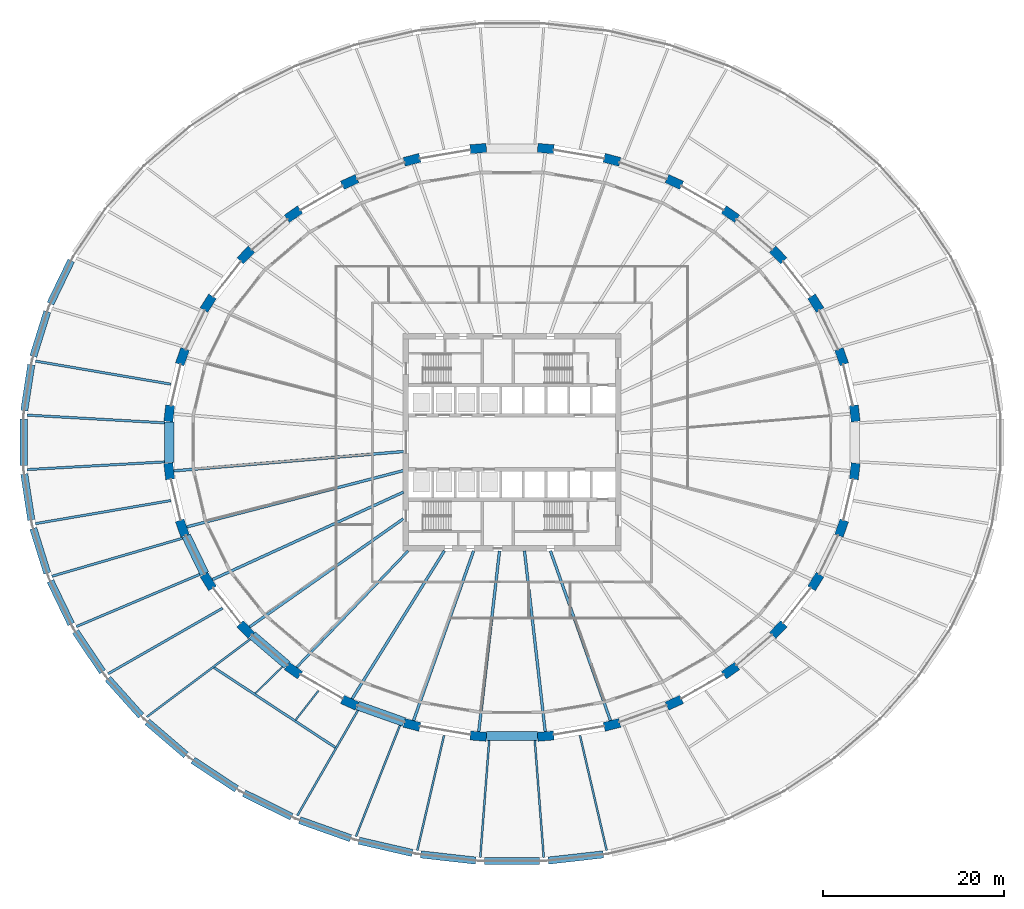
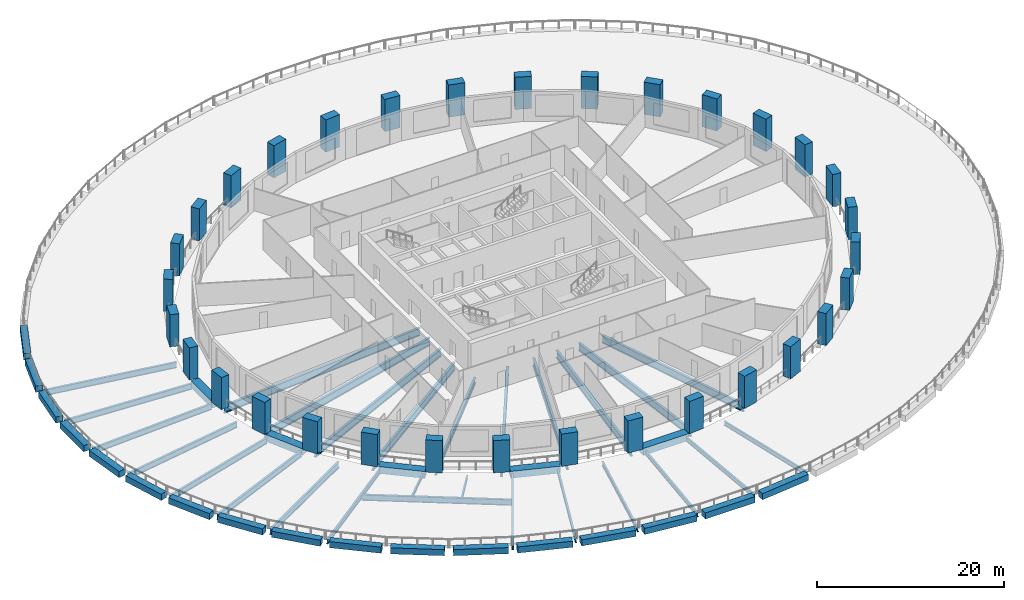
# One storey, part 1 of 16: 49 beams, 32 columns.
"""IFC4 building model written with IfcOpenShell, lengths in metres."""

import ifcopenshell
import ifcopenshell.guid

model = None  # the IFC model being written
_history = None  # IfcOwnerHistory: only IFC2X3 demands one
_inside = {}  # id of a spatial element -> (the spatial element, [elements in it])
_under = {}  # id of a project, library or spatial element -> (it, [spatial elements below it])
_declared = {}  # id of a project -> (the project, [libraries it declares])
_typed = {}  # id of a type object -> (the type object, [elements of that type])
_made_of = {}  # id of a material, layer set ... -> (it, [elements and type objects made of it])


def new_model(schema):
    """Start an empty IFC model of exactly this schema.

    Asked for "IFC4X3", IfcOpenShell would pick the latest addendum, in which some entities
    have other attributes; the version numbers below select the first issue.
    IFC2X3 requires an IfcOwnerHistory on every rooted entity: one is made here for all.
    """
    global model, _history
    if schema == "IFC4X3":
        model = ifcopenshell.file(schema_version=(4, 3, 0, 0))
    else:
        model = ifcopenshell.file(schema=schema)
    _inside.clear()
    _under.clear()
    _declared.clear()
    _typed.clear()
    _made_of.clear()
    _history = None
    if model.schema == "IFC2X3":
        org = make("IfcOrganization", Name="unknown")
        user = make(
            "IfcPersonAndOrganization",
            ThePerson=make("IfcPerson", FamilyName="unknown"),
            TheOrganization=org,
        )
        app = make(
            "IfcApplication",
            ApplicationDeveloper=org,
            Version="unknown",
            ApplicationFullName="unknown",
            ApplicationIdentifier="unknown",
        )
        _history = make(
            "IfcOwnerHistory",
            OwningUser=user,
            OwningApplication=app,
            ChangeAction="ADDED",
            CreationDate=0,
        )
    return model


def make(cls, **values):
    """One entity of the class cls with the attributes given. An attribute that is None is left unset."""
    return model.create_entity(
        cls, **{name: value for name, value in values.items() if value is not None}
    )


def rooted(cls, **values):
    """An entity with a GlobalId (a new one), such as an element, a storey or a relation."""
    return make(cls, GlobalId=ifcopenshell.guid.new(), OwnerHistory=_history, **values)


def si_unit(unit_type, name, prefix=None):
    """IfcSIUnit, for example si_unit("LENGTHUNIT", "METRE", prefix="MILLI")."""
    return make("IfcSIUnit", UnitType=unit_type, Prefix=prefix, Name=name)


def assignment(units):
    """IfcUnitAssignment: the units of a project."""
    return None if units is None else make("IfcUnitAssignment", Units=units)


def point(xyz):
    """IfcCartesianPoint."""
    return None if xyz is None else make("IfcCartesianPoint", Coordinates=xyz)


def direction(xyz):
    """IfcDirection."""
    return None if xyz is None else make("IfcDirection", DirectionRatios=xyz)


def frame(location, z_axis=None, x_axis=None):
    """IfcAxis2Placement3D, a coordinate frame: its origin and axes. An axis left out is left unset."""
    return make(
        "IfcAxis2Placement3D",
        Location=point(location),
        Axis=direction(z_axis),
        RefDirection=direction(x_axis),
    )


def frame_2d(location, x_axis=None):
    """IfcAxis2Placement2D, a coordinate frame in the plane: its origin and x axis."""
    return make(
        "IfcAxis2Placement2D", Location=point(location), RefDirection=direction(x_axis)
    )


def origin():
    """The frame at (0, 0, 0) with its axes left unset."""
    return frame((0.0, 0.0, 0.0))


def origin_2d():
    """The frame at (0, 0) in the plane with its x axis left unset."""
    return frame_2d((0.0, 0.0))


def place(relative_to, where):
    """IfcLocalPlacement: puts the frame where relative to a parent placement (None: the world)."""
    return make(
        "IfcLocalPlacement", PlacementRelTo=relative_to, RelativePlacement=where
    )


def context(
    kind, dimensions, precision=None, world=None, true_north=None, identifier=None
):
    """IfcGeometricRepresentationContext, for example the 3D "Model" context."""
    return make(
        "IfcGeometricRepresentationContext",
        ContextIdentifier=identifier,
        ContextType=kind,
        CoordinateSpaceDimension=dimensions,
        Precision=precision,
        WorldCoordinateSystem=world,
        TrueNorth=true_north,
    )


def subcontext(parent, identifier, kind, view, scale=None):
    """IfcGeometricRepresentationSubContext, for example "Body" below "Model"."""
    return make(
        "IfcGeometricRepresentationSubContext",
        ContextIdentifier=identifier,
        ContextType=kind,
        ParentContext=parent,
        TargetScale=scale,
        TargetView=view,
    )


def project(units=None, contexts=None):
    """IfcProject with its units and contexts."""
    return rooted(
        "IfcProject",
        Name="project",
        RepresentationContexts=contexts,
        UnitsInContext=assignment(units),
    )


def spatial(cls, under=None, at=None, **own):
    """A site, building, storey or space (cls), placed at a placement, below another one or the project."""
    s = rooted(cls, ObjectPlacement=at, **own)
    if under is not None:
        _under.setdefault(under.id(), (under, []))[1].append(s)
    return s


def profile(cls, at=None, kind="AREA", **sizes):
    """A parametric profile (cls). Its sizes go by their IFC names, for example OverallWidth=200.0."""
    return make(cls, ProfileType=kind, Position=at, **sizes)


def rectangle(**sizes):
    """IfcRectangleProfileDef."""
    return profile("IfcRectangleProfileDef", **sizes)


def i_section(**sizes):
    """IfcIShapeProfileDef."""
    return profile("IfcIShapeProfileDef", **sizes)


def extrude(swept, where, along, depth):
    """IfcExtrudedAreaSolid: the profile swept, set in the frame where, extruded along a direction by depth."""
    return make(
        "IfcExtrudedAreaSolid",
        SweptArea=swept,
        Position=where,
        ExtrudedDirection=direction(along),
        Depth=depth,
    )


def shape(context_of_items, identifier, shape_type, items):
    """IfcShapeRepresentation: the items that make up one representation, for example the "Body"."""
    return make(
        "IfcShapeRepresentation",
        ContextOfItems=context_of_items,
        RepresentationIdentifier=identifier,
        RepresentationType=shape_type,
        Items=items,
    )


def material(Name=None, Category=None):
    """IfcMaterial."""
    return make("IfcMaterial", Name=Name, Category=Category)


def material_profile(
    of_material, cross_section, Name=None, Category=None, Priority=None
):
    """IfcMaterialProfile: a cross section and its material."""
    return make(
        "IfcMaterialProfile",
        Name=Name,
        Material=of_material,
        Profile=cross_section,
        Priority=Priority,
        Category=Category,
    )


def profile_set(profiles, Name=None, composite=None):
    """IfcMaterialProfileSet."""
    return make(
        "IfcMaterialProfileSet",
        Name=Name,
        MaterialProfiles=profiles,
        CompositeProfile=composite,
    )


def made_of(thing, what):
    """Note that an element or type object is made of a material, layer set ...; save() writes the relation."""
    if what is not None:
        _made_of.setdefault(what.id(), (what, []))[1].append(thing)
    return thing


def type_object(cls, material=None, **own):
    """A type object (cls), such as IfcWallType, which elements share."""
    return made_of(rooted(cls, **own), material)


def element(
    cls,
    number,
    at=None,
    inside=None,
    cuts=None,
    type_object=None,
    material=None,
    context=None,
    identifier="Body",
    shape_type=None,
    held_by="IfcProductDefinitionShape",
    body=None,
    shapes=None,
    **own,
):
    """One element of the class cls, such as IfcWall. Its Tag is "e" and its number.

    at: its placement. inside: the storey or other place that contains it. cuts: it is an
    opening in that element (IfcRelVoidsElement). A single representation is given by context,
    identifier, shape_type and body (its items); several are given by shapes. held_by: the class
    of the entity that holds the representations. save() writes the other relations.
    """
    e = rooted(cls, Tag="e%d" % number, ObjectPlacement=at, **own)
    if body is not None:
        shapes = [shape(context, identifier, shape_type, body)]
    if shapes is not None:
        e.Representation = make(held_by, Representations=shapes)
    if inside is not None:
        _inside.setdefault(inside.id(), (inside, []))[1].append(e)
    if cuts is not None:
        rooted(
            "IfcRelVoidsElement", RelatingBuildingElement=cuts, RelatedOpeningElement=e
        )
    if type_object is not None:
        _typed.setdefault(type_object.id(), (type_object, []))[1].append(e)
    return made_of(e, material)


def aggregate(whole, parts):
    """IfcRelAggregates: a whole, such as a stair, and the parts it consists of."""
    return rooted("IfcRelAggregates", RelatingObject=whole, RelatedObjects=parts)


def save(model, path):
    """Write the relations noted so far, then the file.

    IfcRelAggregates (storeys below a building ...), IfcRelContainedInSpatialStructure (elements
    in a storey), IfcRelDefinesByType, IfcRelAssociatesMaterial and IfcRelDeclares: one each for
    every whole, place, type object, material and project.
    """
    for whole, parts in _under.values():
        aggregate(whole, parts)
    for where, things in _inside.values():
        rooted(
            "IfcRelContainedInSpatialStructure",
            RelatedElements=things,
            RelatingStructure=where,
        )
    for kind, things in _typed.values():
        rooted("IfcRelDefinesByType", RelatedObjects=things, RelatingType=kind)
    for what, things in _made_of.values():
        rooted("IfcRelAssociatesMaterial", RelatedObjects=things, RelatingMaterial=what)
    for by, libraries in _declared.values():
        rooted("IfcRelDeclares", RelatingContext=by, RelatedDefinitions=libraries)
    model.write(path)


model = new_model("IFC4")

# Units and contexts
model_context = context("Model", 3, precision=1e-05, world=origin(), true_north=direction((0.0, 1.0)))
body_context = subcontext(model_context, "Body", "Model", "MODEL_VIEW")
ifc_project = project(units=[si_unit("LENGTHUNIT", "METRE"), si_unit("AREAUNIT", "SQUARE_METRE"), si_unit("VOLUMEUNIT", "CUBIC_METRE"), si_unit("PLANEANGLEUNIT", "RADIAN"), si_unit("MASSUNIT", "GRAM", prefix="KILO")], contexts=[model_context])

# Site, building, storey
site_placement = place(None, origin())
site = spatial("IfcSite", under=ifc_project, at=site_placement, CompositionType="ELEMENT")
building_placement = place(site_placement, origin())
building = spatial("IfcBuilding", under=site, at=building_placement, Name="Halqa Exchange Tower", CompositionType="ELEMENT")
storey_placement = place(building_placement, frame((0.0, 0.0, 23.5)))
storey = spatial("IfcBuildingStorey", under=building, at=storey_placement, Name="L04", CompositionType="ELEMENT", Elevation=23.5)

# Columns
ifc_material_1 = material(Name="Concrete C80/95", Category="concrete")
ifc_material_profile_1 = material_profile(ifc_material_1, rectangle(XDim=1.800048828125, YDim=1.0, at=origin_2d()), Name="1800 x 1000")
ifc_profile_set_1 = profile_set([ifc_material_profile_1], Name="Concrete C80/95")
column_type = type_object("IfcColumnType", Name="RC ring column 1800 x 1000 C80/95", PredefinedType="COLUMN", material=ifc_profile_set_1)
for number, where, z_axis, x_axis, name in (
    (1, (37.81689453125, 3.192626953125, 0.0), (0.0, 0.0, 1.0), (-0.114155188058, 0.993462929877, 0.0), "Ring column 1"),
    (2, (36.36376953125, 9.455078125, 0.0), (0.0, 0.0, 1.0), (-0.33362752424, 0.942704977747, 0.0), "Ring column 2"),
    (3, (33.512939453125, 15.35400390625, 0.0), (0.0, 0.0, 1.0), (-0.529140496257, 0.848534227489, 0.0), "Ring column 3"),
    (4, (29.37451171875, 20.6630859375, 0.0), (0.0, 0.0, 1.0), (-0.69158113391, 0.722298785282, 0.0), "Ring column 4"),
    (5, (24.10693359375, 25.177978515625, 0.0), (0.0, 0.0, 1.0), (-0.817908788019, 0.57534790734, 0.0), "Ring column 5"),
    (6, (17.9130859375, 28.725341796875, 0.0), (0.0, 0.0, 1.0), (-0.909125641902, 0.416521988898, 0.0), "Ring column 6"),
    (7, (11.03076171875, 31.1689453125, 0.0), (0.0, 0.0, 1.0), (-0.967819064366, 0.251647091481, 0.0), "Ring column 7"),
    (8, (3.724609375, 32.41455078125, 0.0), (0.0, 0.0, 1.0), (-0.996455372165, 0.084123072248, 0.0), "Ring column 8"),
    (9, (-3.724609375, 32.41455078125, 0.0), (0.0, 0.0, 1.0), (-0.996455372165, -0.084123072248, 0.0), "Ring column 9"),
    (10, (-11.03076171875, 31.1689453125, 0.0), (0.0, 0.0, 1.0), (-0.967819064366, -0.251647091481, 0.0), "Ring column 10"),
    (11, (-17.9130859375, 28.725341796875, 0.0), (0.0, 0.0, 1.0), (-0.909125641902, -0.416521988898, 0.0), "Ring column 11"),
    (12, (-24.10693359375, 25.177978515625, 0.0), (0.0, 0.0, 1.0), (-0.817908788019, -0.57534790734, 0.0), "Ring column 12"),
    (13, (-29.37451171875, 20.6630859375, 0.0), (0.0, 0.0, 1.0), (-0.69158113391, -0.722298785282, 0.0), "Ring column 13"),
    (14, (-33.512939453125, 15.35400390625, 0.0), (0.0, 0.0, 1.0), (-0.529140496257, -0.848534227489, 0.0), "Ring column 14"),
    (15, (-36.36376953125, 9.455078125, 0.0), (0.0, 0.0, 1.0), (-0.33362752424, -0.942704977747, 0.0), "Ring column 15"),
    (16, (-37.81689453125, 3.192626953125, 0.0), (0.0, 0.0, 1.0), (-0.114155188058, -0.993462929877, 0.0), "Ring column 16"),
    (17, (-37.81689453125, -3.192626953125, 0.0), (0.0, 0.0, 1.0), (0.114155188058, -0.993462929877, 0.0), "Ring column 17"),
    (18, (-36.36376953125, -9.455078125, 0.0), (0.0, 0.0, 1.0), (0.33362752424, -0.942704977747, 0.0), "Ring column 18"),
    (19, (-33.512939453125, -15.35400390625, 0.0), (0.0, 0.0, 1.0), (0.529140496257, -0.848534227489, 0.0), "Ring column 19"),
    (20, (-29.37451171875, -20.6630859375, 0.0), (0.0, 0.0, 1.0), (0.69158113391, -0.722298785282, 0.0), "Ring column 20"),
    (21, (-24.10693359375, -25.177978515625, 0.0), (0.0, 0.0, 1.0), (0.817908788019, -0.57534790734, 0.0), "Ring column 21"),
    (22, (-17.9130859375, -28.725341796875, 0.0), (0.0, 0.0, 1.0), (0.909125641902, -0.416521988898, 0.0), "Ring column 22"),
    (23, (-11.03076171875, -31.1689453125, 0.0), (0.0, 0.0, 1.0), (0.967819064366, -0.251647091481, 0.0), "Ring column 23"),
    (24, (-3.724609375, -32.41455078125, 0.0), (0.0, 0.0, 1.0), (0.996455372165, -0.084123072248, 0.0), "Ring column 24"),
    (25, (3.724609375, -32.41455078125, 0.0), (0.0, 0.0, 1.0), (0.996455372165, 0.084123072248, 0.0), "Ring column 25"),
    (26, (11.03076171875, -31.1689453125, 0.0), (0.0, 0.0, 1.0), (0.967819064366, 0.251647091481, 0.0), "Ring column 26"),
    (27, (17.9130859375, -28.725341796875, 0.0), (0.0, 0.0, 1.0), (0.909125641902, 0.416521988898, 0.0), "Ring column 27"),
    (28, (24.10693359375, -25.177978515625, 0.0), (0.0, 0.0, 1.0), (0.817908788019, 0.57534790734, 0.0), "Ring column 28"),
    (29, (29.37451171875, -20.6630859375, 0.0), (0.0, 0.0, 1.0), (0.69158113391, 0.722298785282, 0.0), "Ring column 29"),
    (30, (33.512939453125, -15.35400390625, 0.0), (0.0, 0.0, 1.0), (0.529140496257, 0.848534227489, 0.0), "Ring column 30"),
    (31, (36.36376953125, -9.455078125, 0.0), (0.0, 0.0, 1.0), (0.33362752424, 0.942704977747, 0.0), "Ring column 31"),
    (32, (37.81689453125, -3.192626953125, 0.0), (0.0, 0.0, 1.0), (0.114155188058, 0.993462929877, 0.0), "Ring column 32"),
):
    element("IfcColumn", number, at=place(storey_placement, frame(where, z_axis=z_axis, x_axis=x_axis)), inside=storey, type_object=column_type, Name=name, PredefinedType="COLUMN", context=body_context, shape_type="SweptSolid", body=[
        extrude(rectangle(XDim=1.800048828125, YDim=1.0, at=origin_2d()), origin(), (0.0, 0.0, 1.0), 4.199951171875),
    ])

# Beams
ifc_material_2 = material(Name="Steel S355", Category="steel")
ifc_material_profile_2 = material_profile(ifc_material_2, i_section(OverallWidth=0.300048828125, OverallDepth=0.989990234375, WebThickness=0.0166015625, FlangeThickness=0.031005859375, FilletRadius=0.030029296875, at=origin_2d()), Name="HEA 1000")
ifc_profile_set_2 = profile_set([ifc_material_profile_2], Name="Steel S355")
beam_type_1 = type_object("IfcBeamType", Name="Floor beam HEA 1000", PredefinedType="BEAM", material=ifc_profile_set_2)
beam_1_placement = place(storey_placement, frame((-11.972412109375, -5.485107421875, -0.794921875), z_axis=(-0.909128229117, -0.416516341843, 0.0), x_axis=(0.416516341843, -0.909128229117, 0.0)))
element("IfcBeam", 33, at=beam_1_placement, inside=storey, type_object=beam_type_1, Name="Radial beam 19", PredefinedType="BEAM", context=body_context, shape_type="SweptSolid", body=[
    extrude(i_section(OverallWidth=0.300048828125, OverallDepth=0.989990234375, WebThickness=0.0166015625, FlangeThickness=0.031005859375, FilletRadius=0.030029296875, at=origin_2d()), origin(), (0.0, 0.0, 1.0), 23.209228515625),
])
beam_2_placement = place(storey_placement, frame((-11.972412109375, -8.421875, -0.794921875), z_axis=(-0.817909911418, -0.575346310325, 0.0), x_axis=(0.575346310325, -0.817909911418, 0.0)))
element("IfcBeam", 34, at=beam_2_placement, inside=storey, type_object=beam_type_1, Name="Radial beam 20", PredefinedType="BEAM", context=body_context, shape_type="SweptSolid", body=[
    extrude(i_section(OverallWidth=0.300048828125, OverallDepth=0.989990234375, WebThickness=0.0166015625, FlangeThickness=0.031005859375, FilletRadius=0.030029296875, at=origin_2d()), origin(), (0.0, 0.0, 1.0), 20.804443359375),
])
beam_3_placement = place(storey_placement, frame((-7.46533203125, -11.971435546875, -0.794921875), z_axis=(-0.529145823441, -0.848530905468, 0.0), x_axis=(0.848530905468, -0.529145823441, 0.0)))
element("IfcBeam", 35, at=beam_3_placement, inside=storey, type_object=beam_type_1, Name="Radial beam 22", PredefinedType="BEAM", context=body_context, shape_type="SweptSolid", body=[
    extrude(i_section(OverallWidth=0.300048828125, OverallDepth=0.989990234375, WebThickness=0.0166015625, FlangeThickness=0.031005859375, FilletRadius=0.030029296875, at=origin_2d()), origin(), (0.0, 0.0, 1.0), 19.27294921875),
])
beam_4_placement = place(storey_placement, frame((-4.23681640625, -11.971923828125, -0.794921875), z_axis=(-0.333633039334, -0.942703025913, 0.0), x_axis=(0.942703025913, -0.333633039334, 0.0)))
element("IfcBeam", 36, at=beam_4_placement, inside=storey, type_object=beam_type_1, Name="Radial beam 23", PredefinedType="BEAM", context=body_context, shape_type="SweptSolid", body=[
    extrude(i_section(OverallWidth=0.300048828125, OverallDepth=0.989990234375, WebThickness=0.0166015625, FlangeThickness=0.031005859375, FilletRadius=0.030029296875, at=origin_2d()), origin(), (0.0, 0.0, 1.0), 19.885009765625),
])
for number, where, z_axis, x_axis, name in (
    (37, (-1.375732421875, -11.972900390625, -0.794921875), (-0.114166838833, -0.99346159106, 0.0), (0.99346159106, -0.114166838833, 0.0), "Radial beam 24"),
    (38, (1.375732421875, -11.972900390625, -0.794921875), (0.114166838833, -0.99346159106, 0.0), (0.99346159106, 0.114166838833, 0.0), "Radial beam 25"),
):
    element("IfcBeam", number, at=place(storey_placement, frame(where, z_axis=z_axis, x_axis=x_axis)), inside=storey, type_object=beam_type_1, Name=name, PredefinedType="BEAM", context=body_context, shape_type="SweptSolid", body=[
        extrude(i_section(OverallWidth=0.300048828125, OverallDepth=0.989990234375, WebThickness=0.0166015625, FlangeThickness=0.031005859375, FilletRadius=0.030029296875, at=origin_2d()), origin(), (0.0, 0.0, 1.0), 20.103515625),
    ])
beam_5_placement = place(storey_placement, frame((4.23681640625, -11.971923828125, -0.794921875), z_axis=(0.333633039334, -0.942703025913, 0.0), x_axis=(0.942703025913, 0.333633039334, 0.0)))
element("IfcBeam", 39, at=beam_5_placement, inside=storey, type_object=beam_type_1, Name="Radial beam 26", PredefinedType="BEAM", context=body_context, shape_type="SweptSolid", body=[
    extrude(i_section(OverallWidth=0.300048828125, OverallDepth=0.989990234375, WebThickness=0.0166015625, FlangeThickness=0.031005859375, FilletRadius=0.030029296875, at=origin_2d()), origin(), (0.0, 0.0, 1.0), 19.885009765625),
])
ifc_material_profile_3 = material_profile(ifc_material_2, i_section(OverallWidth=0.302001953125, OverallDepth=1.008056640625, WebThickness=0.02099609375, FlangeThickness=0.0400390625, FilletRadius=0.030029296875, at=origin_2d()), Name="HEM 1000")
ifc_profile_set_3 = profile_set([ifc_material_profile_3], Name="Steel S355")
beam_type_2 = type_object("IfcBeamType", Name="Floor beam HEM 1000", PredefinedType="BEAM", material=ifc_profile_set_3)
beam_6_placement = place(storey_placement, frame((-11.972412109375, -1.0107421875, -0.803955078125), z_axis=(-0.996455167327, -0.084125498561, 0.0), x_axis=(0.084125498561, -0.996455167327, 0.0)))
element("IfcBeam", 40, at=beam_6_placement, inside=storey, type_object=beam_type_2, Name="Radial beam 17", PredefinedType="BEAM", context=body_context, shape_type="SweptSolid", body=[
    extrude(i_section(OverallWidth=0.302001953125, OverallDepth=1.008056640625, WebThickness=0.02099609375, FlangeThickness=0.0400390625, FilletRadius=0.030029296875, at=origin_2d()), origin(), (0.0, 0.0, 1.0), 25.460205078125),
])
beam_7_placement = place(storey_placement, frame((-11.971435546875, -3.11279296875, -0.803955078125), z_axis=(-0.967821064299, -0.251639399735, 0.0), x_axis=(0.251639399735, -0.967821064299, 0.0)))
element("IfcBeam", 41, at=beam_7_placement, inside=storey, type_object=beam_type_2, Name="Radial beam 18", PredefinedType="BEAM", context=body_context, shape_type="SweptSolid", body=[
    extrude(i_section(OverallWidth=0.302001953125, OverallDepth=1.008056640625, WebThickness=0.02099609375, FlangeThickness=0.0400390625, FilletRadius=0.030029296875, at=origin_2d()), origin(), (0.0, 0.0, 1.0), 24.7314453125),
])
ifc_material_profile_4 = material_profile(ifc_material_2, i_section(OverallWidth=0.179931640625, OverallDepth=0.39990234375, WebThickness=0.008544921875, FlangeThickness=0.013427734375, FilletRadius=0.02099609375, at=origin_2d()), Name="IPE 400")
ifc_profile_set_4 = profile_set([ifc_material_profile_4], Name="Steel S355")
beam_type_3 = type_object("IfcBeamType", Name="Floor beam IPE 400", PredefinedType="BEAM", material=ifc_profile_set_4)
beam_8_placement = place(storey_placement, frame((-25.322265625, -24.757080078125, -0.5), z_axis=(-0.71503297556, -0.699090726488, 0.0), x_axis=(0.699090726488, -0.71503297556, 0.0)))
element("IfcBeam", 42, at=beam_8_placement, inside=storey, type_object=beam_type_3, Name="Radial beam 31a", PredefinedType="BEAM", context=body_context, shape_type="SweptSolid", body=[
    extrude(i_section(OverallWidth=0.179931640625, OverallDepth=0.39990234375, WebThickness=0.008544921875, FlangeThickness=0.013427734375, FilletRadius=0.02099609375, at=origin_2d()), origin(), (0.0, 0.0, 1.0), 4.2265625),
])
beam_9_placement = place(storey_placement, frame((-21.3603515625, -27.40966796875, -0.5), z_axis=(-0.614710115699, -0.788753113247, 0.0), x_axis=(0.788753113247, -0.614710115699, 0.0)))
element("IfcBeam", 43, at=beam_9_placement, inside=storey, type_object=beam_type_3, Name="Radial beam 32a", PredefinedType="BEAM", context=body_context, shape_type="SweptSolid", body=[
    extrude(i_section(OverallWidth=0.179931640625, OverallDepth=0.39990234375, WebThickness=0.008544921875, FlangeThickness=0.013427734375, FilletRadius=0.02099609375, at=origin_2d()), origin(), (0.0, 0.0, 1.0), 4.10595703125),
])
ifc_material_profile_5 = material_profile(ifc_material_2, i_section(OverallWidth=0.2099609375, OverallDepth=0.550048828125, WebThickness=0.010986328125, FlangeThickness=0.01708984375, FilletRadius=0.02392578125, at=origin_2d()), Name="IPE 550")
ifc_profile_set_5 = profile_set([ifc_material_profile_5], Name="Steel S355")
beam_type_4 = type_object("IfcBeamType", Name="Floor beam IPE 550", PredefinedType="BEAM", material=ifc_profile_set_5)
beam_10_placement = place(storey_placement, frame((-12.352294921875, -31.2001953125, -0.574951171875), z_axis=(-0.368106640822, -0.929783577497, 0.0), x_axis=(0.929783577497, -0.368106640822, 0.0)))
element("IfcBeam", 44, at=beam_10_placement, inside=storey, type_object=beam_type_4, Name="Radial beam 34", PredefinedType="BEAM", context=body_context, shape_type="SweptSolid", body=[
    extrude(i_section(OverallWidth=0.2099609375, OverallDepth=0.550048828125, WebThickness=0.010986328125, FlangeThickness=0.01708984375, FilletRadius=0.02392578125, at=origin_2d()), origin(), (0.0, 0.0, 1.0), 13.22412109375),
])
beam_11_placement = place(storey_placement, frame((-7.5048828125, -32.35009765625, -0.574951171875), z_axis=(-0.2259960959, -0.974128207495, 0.0), x_axis=(0.974128207495, -0.2259960959, 0.0)))
element("IfcBeam", 45, at=beam_11_placement, inside=storey, type_object=beam_type_4, Name="Radial beam 35", PredefinedType="BEAM", context=body_context, shape_type="SweptSolid", body=[
    extrude(i_section(OverallWidth=0.2099609375, OverallDepth=0.550048828125, WebThickness=0.010986328125, FlangeThickness=0.01708984375, FilletRadius=0.02392578125, at=origin_2d()), origin(), (0.0, 0.0, 1.0), 13.03466796875),
])
for number, where, z_axis, x_axis, name in (
    (46, (-2.513916015625, -32.88623046875, -0.574951171875), (-0.076223337155, -0.997090769626, 0.0), (0.997090769626, -0.076223337155, 0.0), "Radial beam 36"),
    (47, (2.513916015625, -32.88623046875, -0.574951171875), (0.076223337155, -0.997090769626, 0.0), (0.997090769626, 0.076223337155, 0.0), "Radial beam 37"),
):
    element("IfcBeam", number, at=place(storey_placement, frame(where, z_axis=z_axis, x_axis=x_axis)), inside=storey, type_object=beam_type_4, Name=name, PredefinedType="BEAM", context=body_context, shape_type="SweptSolid", body=[
        extrude(i_section(OverallWidth=0.2099609375, OverallDepth=0.550048828125, WebThickness=0.010986328125, FlangeThickness=0.01708984375, FilletRadius=0.02392578125, at=origin_2d()), origin(), (0.0, 0.0, 1.0), 12.981689453125),
    ])
beam_12_placement = place(storey_placement, frame((7.5048828125, -32.35009765625, -0.574951171875), z_axis=(0.2259960959, -0.974128207495, 0.0), x_axis=(0.974128207495, 0.2259960959, 0.0)))
element("IfcBeam", 48, at=beam_12_placement, inside=storey, type_object=beam_type_4, Name="Radial beam 38", PredefinedType="BEAM", context=body_context, shape_type="SweptSolid", body=[
    extrude(i_section(OverallWidth=0.2099609375, OverallDepth=0.550048828125, WebThickness=0.010986328125, FlangeThickness=0.01708984375, FilletRadius=0.02392578125, at=origin_2d()), origin(), (0.0, 0.0, 1.0), 13.03466796875),
])
ifc_material_profile_6 = material_profile(ifc_material_2, i_section(OverallWidth=0.219970703125, OverallDepth=0.60009765625, WebThickness=0.011962890625, FlangeThickness=0.01904296875, FilletRadius=0.02392578125, at=origin_2d()), Name="IPE 600")
ifc_profile_set_6 = profile_set([ifc_material_profile_6], Name="Steel S355")
beam_type_5 = type_object("IfcBeamType", Name="Floor beam IPE 600", PredefinedType="BEAM", material=ifc_profile_set_6)
beam_13_placement = place(storey_placement, frame((-28.875732421875, -21.71240234375, -0.60009765625), z_axis=(-0.799257291391, -0.600989003359, 0.0), x_axis=(0.600989003359, -0.799257291391, 0.0)))
element("IfcBeam", 49, at=beam_13_placement, inside=storey, type_object=beam_type_5, Name="Radial beam 30", PredefinedType="BEAM", context=body_context, shape_type="SweptSolid", body=[
    extrude(i_section(OverallWidth=0.219970703125, OverallDepth=0.60009765625, WebThickness=0.011962890625, FlangeThickness=0.01904296875, FilletRadius=0.02392578125, at=origin_2d()), origin(), (0.0, 0.0, 1.0), 14.291259765625),
])
beam_14_placement = place(storey_placement, frame((-16.996826171875, -29.551513671875, -0.60009765625), z_axis=(-0.498570786865, -0.866848989435, 0.0), x_axis=(0.866848989435, -0.498570786865, 0.0)))
element("IfcBeam", 50, at=beam_14_placement, inside=storey, type_object=beam_type_5, Name="Radial beam 33", PredefinedType="BEAM", context=body_context, shape_type="SweptSolid", body=[
    extrude(i_section(OverallWidth=0.219970703125, OverallDepth=0.60009765625, WebThickness=0.011962890625, FlangeThickness=0.01904296875, FilletRadius=0.02392578125, at=origin_2d()), origin(), (0.0, 0.0, 1.0), 13.438720703125),
])
ifc_material_profile_7 = material_profile(ifc_material_2, i_section(OverallWidth=0.264892578125, OverallDepth=0.7529296875, WebThickness=0.01318359375, FlangeThickness=0.01708984375, FilletRadius=0.01708984375, at=origin_2d()), Name="IPE 750x147")
ifc_profile_set_7 = profile_set([ifc_material_profile_7], Name="Steel S355")
beam_type_6 = type_object("IfcBeamType", Name="Floor beam IPE 750x147", PredefinedType="BEAM", material=ifc_profile_set_7)
beam_15_placement = place(storey_placement, frame((-11.462890625, -11.97216796875, -0.676513671875), z_axis=(-0.691576067347, -0.722303636342, 0.0), x_axis=(0.722303636342, -0.691576067347, 0.0)))
element("IfcBeam", 51, at=beam_15_placement, inside=storey, type_object=beam_type_6, Name="Radial beam 21", PredefinedType="BEAM", context=body_context, shape_type="SweptSolid", body=[
    extrude(i_section(OverallWidth=0.264892578125, OverallDepth=0.7529296875, WebThickness=0.01318359375, FlangeThickness=0.01708984375, FilletRadius=0.01708984375, at=origin_2d()), origin(), (0.0, 0.0, 1.0), 17.797607421875),
])
beam_16_placement = place(storey_placement, frame((-37.654296875, 6.421875, -0.676513671875), z_axis=(-0.985764762639, 0.168130403968, 0.0), x_axis=(-0.168130403968, -0.985764762639, 0.0)))
element("IfcBeam", 52, at=beam_16_placement, inside=storey, type_object=beam_type_6, Name="Radial beam 23", PredefinedType="BEAM", context=body_context, shape_type="SweptSolid", body=[
    extrude(i_section(OverallWidth=0.264892578125, OverallDepth=0.7529296875, WebThickness=0.01318359375, FlangeThickness=0.01708984375, FilletRadius=0.01708984375, at=origin_2d()), origin(), (0.0, 0.0, 1.0), 15.156982421875),
])
for number, where, z_axis, x_axis, name in (
    (53, (-38.2880859375, 2.151611328125, -0.676513671875), (-0.998424130563, 0.056118227964, 0.0), (-0.056118227964, -0.998424130563, 0.0), "Radial beam 24"),
    (54, (-38.2880859375, -2.151611328125, -0.676513671875), (-0.998424130563, -0.056118227964, 0.0), (0.056118227964, -0.998424130563, 0.0), "Radial beam 25"),
):
    element("IfcBeam", number, at=place(storey_placement, frame(where, z_axis=z_axis, x_axis=x_axis)), inside=storey, type_object=beam_type_6, Name=name, PredefinedType="BEAM", context=body_context, shape_type="SweptSolid", body=[
        extrude(i_section(OverallWidth=0.264892578125, OverallDepth=0.7529296875, WebThickness=0.01318359375, FlangeThickness=0.01708984375, FilletRadius=0.01708984375, at=origin_2d()), origin(), (0.0, 0.0, 1.0), 15.248291015625),
    ])
beam_17_placement = place(storey_placement, frame((-37.654296875, -6.421875, -0.676513671875), z_axis=(-0.985764762639, -0.168130403968, 0.0), x_axis=(0.168130403968, -0.985764762639, 0.0)))
element("IfcBeam", 55, at=beam_17_placement, inside=storey, type_object=beam_type_6, Name="Radial beam 26", PredefinedType="BEAM", context=body_context, shape_type="SweptSolid", body=[
    extrude(i_section(OverallWidth=0.264892578125, OverallDepth=0.7529296875, WebThickness=0.01318359375, FlangeThickness=0.01708984375, FilletRadius=0.01708984375, at=origin_2d()), origin(), (0.0, 0.0, 1.0), 15.156982421875),
])
beam_18_placement = place(storey_placement, frame((-36.34521484375, -10.578369140625, -0.676513671875), z_axis=(-0.960162493503, -0.279442276812, 0.0), x_axis=(0.279442276812, -0.960162493503, 0.0)))
element("IfcBeam", 56, at=beam_18_placement, inside=storey, type_object=beam_type_6, Name="Radial beam 27", PredefinedType="BEAM", context=body_context, shape_type="SweptSolid", body=[
    extrude(i_section(OverallWidth=0.264892578125, OverallDepth=0.7529296875, WebThickness=0.01318359375, FlangeThickness=0.01708984375, FilletRadius=0.01708984375, at=origin_2d()), origin(), (0.0, 0.0, 1.0), 15.02880859375),
])
beam_19_placement = place(storey_placement, frame((-34.423583984375, -14.555419921875, -0.676513671875), z_axis=(-0.921054684963, -0.389433264254, 0.0), x_axis=(0.389433264254, -0.921054684963, 0.0)))
element("IfcBeam", 57, at=beam_19_placement, inside=storey, type_object=beam_type_6, Name="Radial beam 28", PredefinedType="BEAM", context=body_context, shape_type="SweptSolid", body=[
    extrude(i_section(OverallWidth=0.264892578125, OverallDepth=0.7529296875, WebThickness=0.01318359375, FlangeThickness=0.01708984375, FilletRadius=0.01708984375, at=origin_2d()), origin(), (0.0, 0.0, 1.0), 14.83349609375),
])
beam_20_placement = place(storey_placement, frame((-31.942626953125, -18.300048828125, -0.676513671875), z_axis=(-0.867691436398, -0.497103179633, 0.0), x_axis=(0.497103179633, -0.867691436398, 0.0)))
element("IfcBeam", 58, at=beam_20_placement, inside=storey, type_object=beam_type_6, Name="Radial beam 29", PredefinedType="BEAM", context=body_context, shape_type="SweptSolid", body=[
    extrude(i_section(OverallWidth=0.264892578125, OverallDepth=0.7529296875, WebThickness=0.01318359375, FlangeThickness=0.01708984375, FilletRadius=0.01708984375, at=origin_2d()), origin(), (0.0, 0.0, 1.0), 14.555908203125),
])
beam_21_placement = place(storey_placement, frame((-32.897216796875, -24.83935546875, -0.676513671875), z_axis=(0.835206413532, -0.54993658434, 0.0), x_axis=(0.54993658434, 0.835206413532, 0.0)))
element("IfcBeam", 59, at=beam_21_placement, inside=storey, type_object=beam_type_6, Name="Radial beam TPS4-in", PredefinedType="BEAM", context=body_context, shape_type="SweptSolid", body=[
    extrude(i_section(OverallWidth=0.264892578125, OverallDepth=0.7529296875, WebThickness=0.01318359375, FlangeThickness=0.01708984375, FilletRadius=0.01708984375, at=origin_2d()), origin(), (0.0, 0.0, 1.0), 16.080078125),
])
ifc_material_3 = material(Name="Concrete C60/75", Category="concrete")
ifc_material_profile_8 = material_profile(ifc_material_3, rectangle(XDim=0.800048828125, YDim=0.800048828125, at=origin_2d()), Name="800 x 800")
ifc_profile_set_8 = profile_set([ifc_material_profile_8], Name="Concrete C60/75")
beam_type_7 = type_object("IfcBeamType", Name="RC podium edge beam 800 x 800 C60/75", PredefinedType="SPANDREL", material=ifc_profile_set_8)
beam_22_placement = place(storey_placement, frame((-48.636962890625, 20.052001953125, -0.39990234375), z_axis=(-0.43497328232, -0.9004433595, 0.0), x_axis=(0.9004433595, -0.43497328232, 0.0)))
element("IfcBeam", 60, at=beam_22_placement, inside=storey, type_object=beam_type_7, Name="Podium edge beam 21", PredefinedType="SPANDREL", context=body_context, shape_type="SweptSolid", body=[
    extrude(rectangle(XDim=0.800048828125, YDim=0.800048828125, at=origin_2d()), origin(), (0.0, 0.0, 1.0), 5.267578125),
])
beam_23_placement = place(storey_placement, frame((-51.275390625, 14.430419921875, -0.39990234375), z_axis=(-0.298331338153, -0.954462368392, 0.0), x_axis=(0.954462368392, -0.298331338153, 0.0)))
element("IfcBeam", 61, at=beam_23_placement, inside=storey, type_object=beam_type_7, Name="Podium edge beam 22", PredefinedType="SPANDREL", context=body_context, shape_type="SweptSolid", body=[
    extrude(rectangle(XDim=0.800048828125, YDim=0.800048828125, at=origin_2d()), origin(), (0.0, 0.0, 1.0), 5.180908203125),
])
beam_24_placement = place(storey_placement, frame((-53.0341796875, 8.56591796875, -0.39990234375), z_axis=(-0.151767505705, -0.988416220128, 0.0), x_axis=(0.988416220128, -0.151767505705, 0.0)))
element("IfcBeam", 62, at=beam_24_placement, inside=storey, type_object=beam_type_7, Name="Podium edge beam 23", PredefinedType="SPANDREL", context=body_context, shape_type="SweptSolid", body=[
    extrude(rectangle(XDim=0.800048828125, YDim=0.800048828125, at=origin_2d()), origin(), (0.0, 0.0, 1.0), 5.1298828125),
])
beam_25_placement = place(storey_placement, frame((-53.884521484375, 2.5556640625, -0.39990234375), z_axis=(0.0, -1.0, 0.0), x_axis=(1.0, 0.0, 0.0)))
element("IfcBeam", 63, at=beam_25_placement, inside=storey, type_object=beam_type_7, Name="Podium edge beam 24", PredefinedType="SPANDREL", context=body_context, shape_type="SweptSolid", body=[
    extrude(rectangle(XDim=0.800048828125, YDim=0.800048828125, at=origin_2d()), origin(), (0.0, 0.0, 1.0), 5.111328125),
])
beam_26_placement = place(storey_placement, frame((-53.812744140625, -3.495361328125, -0.39990234375), z_axis=(0.151767505705, -0.988416220128, 0.0), x_axis=(0.988416220128, 0.151767505705, 0.0)))
element("IfcBeam", 64, at=beam_26_placement, inside=storey, type_object=beam_type_7, Name="Podium edge beam 25", PredefinedType="SPANDREL", context=body_context, shape_type="SweptSolid", body=[
    extrude(rectangle(XDim=0.800048828125, YDim=0.800048828125, at=origin_2d()), origin(), (0.0, 0.0, 1.0), 5.1298828125),
])
beam_27_placement = place(storey_placement, frame((-52.821044921875, -9.4853515625, -0.39990234375), z_axis=(0.298331338153, -0.954462368392, 0.0), x_axis=(0.954462368392, 0.298331338153, 0.0)))
element("IfcBeam", 65, at=beam_27_placement, inside=storey, type_object=beam_type_7, Name="Podium edge beam 26", PredefinedType="SPANDREL", context=body_context, shape_type="SweptSolid", body=[
    extrude(rectangle(XDim=0.800048828125, YDim=0.800048828125, at=origin_2d()), origin(), (0.0, 0.0, 1.0), 5.180908203125),
])
beam_28_placement = place(storey_placement, frame((-50.92822265625, -15.308837890625, -0.39990234375), z_axis=(0.43497328232, -0.9004433595, 0.0), x_axis=(0.9004433595, 0.43497328232, 0.0)))
element("IfcBeam", 66, at=beam_28_placement, inside=storey, type_object=beam_type_7, Name="Podium edge beam 27", PredefinedType="SPANDREL", context=body_context, shape_type="SweptSolid", body=[
    extrude(rectangle(XDim=0.800048828125, YDim=0.800048828125, at=origin_2d()), origin(), (0.0, 0.0, 1.0), 5.267578125),
])
beam_29_placement = place(storey_placement, frame((-48.1669921875, -20.8701171875, -0.39990234375), z_axis=(0.558528358221, -0.829485426673, 0.0), x_axis=(0.829485426673, 0.558528358221, 0.0)))
element("IfcBeam", 67, at=beam_29_placement, inside=storey, type_object=beam_type_7, Name="Podium edge beam 28", PredefinedType="SPANDREL", context=body_context, shape_type="SweptSolid", body=[
    extrude(rectangle(XDim=0.800048828125, YDim=0.800048828125, at=origin_2d()), origin(), (0.0, 0.0, 1.0), 5.378173828125),
])
beam_30_placement = place(storey_placement, frame((-44.58349609375, -26.075927734375, -0.39990234375), z_axis=(0.666902525907, -0.745144966392, 0.0), x_axis=(0.745144966392, 0.666902525907, 0.0)))
element("IfcBeam", 68, at=beam_30_placement, inside=storey, type_object=beam_type_7, Name="Podium edge beam 29", PredefinedType="SPANDREL", context=body_context, shape_type="SweptSolid", body=[
    extrude(rectangle(XDim=0.800048828125, YDim=0.800048828125, at=origin_2d()), origin(), (0.0, 0.0, 1.0), 5.501220703125),
])
beam_31_placement = place(storey_placement, frame((-40.240478515625, -30.83544921875, -0.39990234375), z_axis=(0.759174010844, -0.650887717859, 0.0), x_axis=(0.650887717859, 0.759174010844, 0.0)))
element("IfcBeam", 69, at=beam_31_placement, inside=storey, type_object=beam_type_7, Name="Podium edge beam 30", PredefinedType="SPANDREL", context=body_context, shape_type="SweptSolid", body=[
    extrude(rectangle(XDim=0.800048828125, YDim=0.800048828125, at=origin_2d()), origin(), (0.0, 0.0, 1.0), 5.63427734375),
])
beam_32_placement = place(storey_placement, frame((-35.208984375, -35.070556640625, -0.39990234375), z_axis=(0.835418618456, -0.549614166426, 0.0), x_axis=(0.549614166426, 0.835418618456, 0.0)))
element("IfcBeam", 70, at=beam_32_placement, inside=storey, type_object=beam_type_7, Name="Podium edge beam 31", PredefinedType="SPANDREL", context=body_context, shape_type="SweptSolid", body=[
    extrude(rectangle(XDim=0.800048828125, YDim=0.800048828125, at=origin_2d()), origin(), (0.0, 0.0, 1.0), 5.760986328125),
])
beam_33_placement = place(storey_placement, frame((-29.576904296875, -38.706787109375, -0.39990234375), z_axis=(0.896205416004, -0.443639326847, 0.0), x_axis=(0.443639326847, 0.896205416004, 0.0)))
element("IfcBeam", 71, at=beam_33_placement, inside=storey, type_object=beam_type_7, Name="Podium edge beam 32", PredefinedType="SPANDREL", context=body_context, shape_type="SweptSolid", body=[
    extrude(rectangle(XDim=0.800048828125, YDim=0.800048828125, at=origin_2d()), origin(), (0.0, 0.0, 1.0), 5.880126953125),
])
beam_34_placement = place(storey_placement, frame((-23.4384765625, -41.683349609375, -0.39990234375), z_axis=(0.942343471221, -0.334647250469, 0.0), x_axis=(0.334647250469, 0.942343471221, 0.0)))
element("IfcBeam", 72, at=beam_34_placement, inside=storey, type_object=beam_type_7, Name="Podium edge beam 33", PredefinedType="SPANDREL", context=body_context, shape_type="SweptSolid", body=[
    extrude(rectangle(XDim=0.800048828125, YDim=0.800048828125, at=origin_2d()), origin(), (0.0, 0.0, 1.0), 5.980712890625),
])
beam_35_placement = place(storey_placement, frame((-16.89794921875, -43.948486328125, -0.39990234375), z_axis=(0.974604133477, -0.223934774008, 0.0), x_axis=(0.223934774008, 0.974604133477, 0.0)))
element("IfcBeam", 73, at=beam_35_placement, inside=storey, type_object=beam_type_7, Name="Podium edge beam 34", PredefinedType="SPANDREL", context=body_context, shape_type="SweptSolid", body=[
    extrude(rectangle(XDim=0.800048828125, YDim=0.800048828125, at=origin_2d()), origin(), (0.0, 0.0, 1.0), 6.05517578125),
])
beam_36_placement = place(storey_placement, frame((-10.064453125, -45.46337890625, -0.39990234375), z_axis=(0.993688954696, -0.112170679393, 0.0), x_axis=(0.112170679393, 0.993688954696, 0.0)))
element("IfcBeam", 74, at=beam_36_placement, inside=storey, type_object=beam_type_7, Name="Podium edge beam 35", PredefinedType="SPANDREL", context=body_context, shape_type="SweptSolid", body=[
    extrude(rectangle(XDim=0.800048828125, YDim=0.800048828125, at=origin_2d()), origin(), (0.0, 0.0, 1.0), 6.100830078125),
])
beam_37_placement = place(storey_placement, frame((-3.05859375, -46.200927734375, -0.39990234375), z_axis=(1.0, 0.0, 0.0), x_axis=(0.0, 1.0, 0.0)))
element("IfcBeam", 75, at=beam_37_placement, inside=storey, type_object=beam_type_7, Name="Podium edge beam 36", PredefinedType="SPANDREL", context=body_context, shape_type="SweptSolid", body=[
    extrude(rectangle(XDim=0.800048828125, YDim=0.800048828125, at=origin_2d()), origin(), (0.0, 0.0, 1.0), 6.1171875),
])
beam_38_placement = place(storey_placement, frame((4.002197265625, -46.147705078125, -0.39990234375), z_axis=(0.993688954696, 0.112170679393, 0.0), x_axis=(-0.112170679393, 0.993688954696, 0.0)))
element("IfcBeam", 76, at=beam_38_placement, inside=storey, type_object=beam_type_7, Name="Podium edge beam 37", PredefinedType="SPANDREL", context=body_context, shape_type="SweptSolid", body=[
    extrude(rectangle(XDim=0.800048828125, YDim=0.800048828125, at=origin_2d()), origin(), (0.0, 0.0, 1.0), 6.100830078125),
])
ifc_material_profile_9 = material_profile(ifc_material_3, rectangle(XDim=1.0, YDim=0.89990234375, at=origin_2d()), Name="1000 x 900")
ifc_profile_set_9 = profile_set([ifc_material_profile_9], Name="Concrete C60/75")
beam_type_8 = type_object("IfcBeamType", Name="RC spandrel beam 1000 x 900 C60/75", PredefinedType="SPANDREL", material=ifc_profile_set_9)
beam_39_placement = place(storey_placement, frame((-37.81689453125, 2.24609375, -0.449951171875), z_axis=(0.0, -1.0, 0.0), x_axis=(1.0, 0.0, 0.0)))
element("IfcBeam", 77, at=beam_39_placement, inside=storey, type_object=beam_type_8, Name="Spandrel 16", PredefinedType="SPANDREL", context=body_context, shape_type="SweptSolid", body=[
    extrude(rectangle(XDim=1.0, YDim=0.89990234375, at=origin_2d()), origin(), (0.0, 0.0, 1.0), 4.4921875),
])
beam_40_placement = place(storey_placement, frame((-35.951904296875, -10.306884765625, -0.449951171875), z_axis=(0.435068215878, -0.900397494184, 0.0), x_axis=(0.900397494184, 0.435068215878, 0.0)))
element("IfcBeam", 78, at=beam_40_placement, inside=storey, type_object=beam_type_8, Name="Spandrel 18", PredefinedType="SPANDREL", context=body_context, shape_type="SweptSolid", body=[
    extrude(rectangle(XDim=1.0, YDim=0.89990234375, at=origin_2d()), origin(), (0.0, 0.0, 1.0), 4.6630859375),
])
beam_41_placement = place(storey_placement, frame((-28.659423828125, -21.27587890625, -0.449951171875), z_axis=(0.759263417999, -0.650783421799, 0.0), x_axis=(0.650783421799, 0.759263417999, 0.0)))
element("IfcBeam", 79, at=beam_41_placement, inside=storey, type_object=beam_type_8, Name="Spandrel 20", PredefinedType="SPANDREL", context=body_context, shape_type="SweptSolid", body=[
    extrude(rectangle(XDim=1.0, YDim=0.89990234375, at=origin_2d()), origin(), (0.0, 0.0, 1.0), 5.056884765625),
])
beam_42_placement = place(storey_placement, frame((-17.030029296875, -29.038818359375, -0.449951171875), z_axis=(0.942357788657, -0.334606930826, 0.0), x_axis=(0.334606930826, 0.942357788657, 0.0)))
element("IfcBeam", 80, at=beam_42_placement, inside=storey, type_object=beam_type_8, Name="Spandrel 22", PredefinedType="SPANDREL", context=body_context, shape_type="SweptSolid", body=[
    extrude(rectangle(XDim=1.0, YDim=0.89990234375, at=origin_2d()), origin(), (0.0, 0.0, 1.0), 5.429931640625),
])
beam_43_placement = place(storey_placement, frame((-2.789794921875, -32.41455078125, -0.449951171875), z_axis=(1.0, 0.0, 0.0), x_axis=(0.0, 1.0, 0.0)))
element("IfcBeam", 81, at=beam_43_placement, inside=storey, type_object=beam_type_8, Name="Spandrel 24", PredefinedType="SPANDREL", context=body_context, shape_type="SweptSolid", body=[
    extrude(rectangle(XDim=1.0, YDim=0.89990234375, at=origin_2d()), origin(), (0.0, 0.0, 1.0), 5.57958984375),
])

save(model, "model.ifc")
